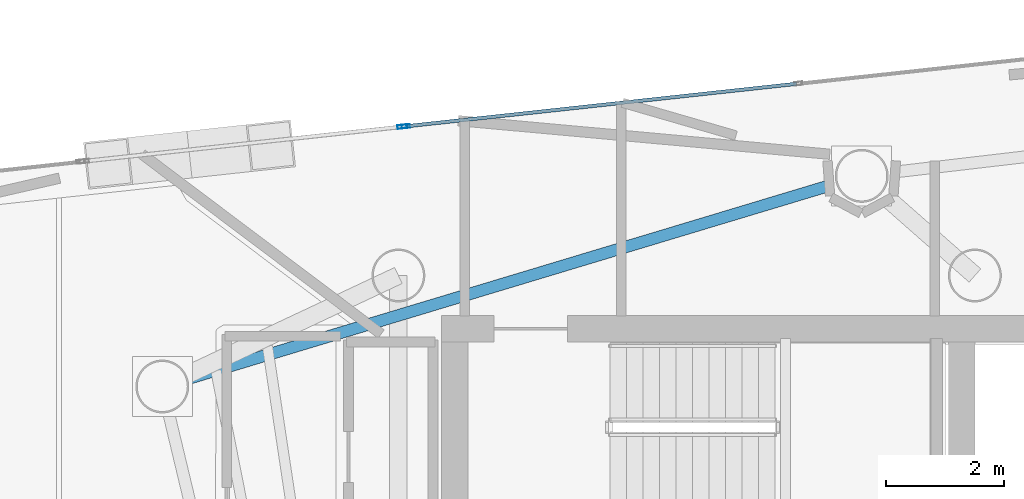
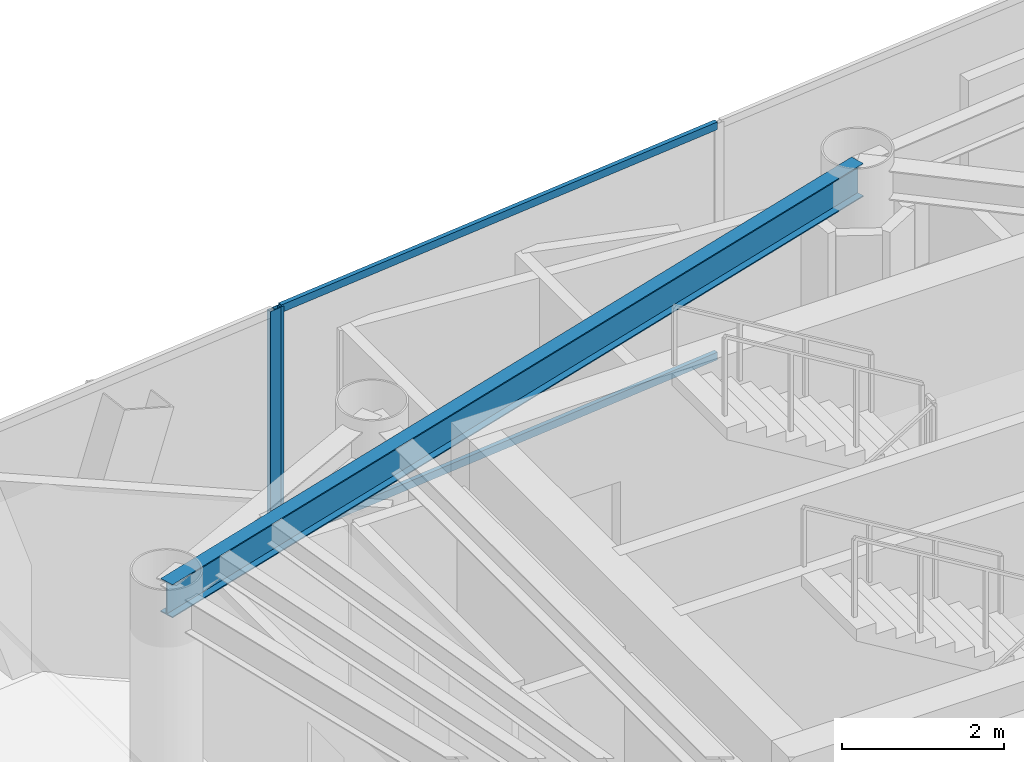
# One storey, part 9 of 19: 4 members, 1 beam, 2 elements without a shape of their own.
"""IFC4 building model written with IfcOpenShell, lengths in metres."""

from ifc_helpers import new_model, si_unit, direction, frame, origin, origin_2d, place, context, subcontext, project, spatial, hollow_rectangle, i_section, extrude, material, layer, layer_set, material_profile, profile_set, type_object, element, aggregate, save


model = new_model("IFC4")

# Units and contexts
model_context = context("Model", 3, precision=1e-05, world=origin(), true_north=direction((0.0, 1.0)))
body_context = subcontext(model_context, "Body", "Model", "MODEL_VIEW")
ifc_project = project(units=[si_unit("LENGTHUNIT", "METRE"), si_unit("AREAUNIT", "SQUARE_METRE"), si_unit("VOLUMEUNIT", "CUBIC_METRE"), si_unit("PLANEANGLEUNIT", "RADIAN"), si_unit("MASSUNIT", "GRAM", prefix="KILO")], contexts=[model_context])

# Site, building, storey
site_placement = place(None, origin())
site = spatial("IfcSite", under=ifc_project, at=site_placement, CompositionType="ELEMENT")
building_placement = place(site_placement, origin())
building = spatial("IfcBuilding", under=site, at=building_placement, Name="Qianvela Tower", CompositionType="ELEMENT")
storey_placement = place(building_placement, frame((0.0, 0.0, 280.60009765625)))
storey = spatial("IfcBuildingStorey", under=building, at=storey_placement, Name="L72", CompositionType="ELEMENT", Elevation=280.60009765625)

# Beam
ifc_material_1 = material(Name="Steel Q355B", Category="steel")
ifc_material_profile_1 = material_profile(ifc_material_1, i_section(OverallWidth=0.199951171875, OverallDepth=0.5, WebThickness=0.010009765625, FlangeThickness=0.01611328125, at=origin_2d()), Name="HN500x200x10x16")
ifc_profile_set_1 = profile_set([ifc_material_profile_1], Name="Steel Q355B")
beam_type = type_object("IfcBeamType", Name="BM-HN500-GIRD", PredefinedType="BEAM", material=ifc_profile_set_1)
beam_placement = place(storey_placement, frame((36.47607421875, 35.242919921875, 3.267822265625), z_axis=(-0.957535726794, -0.288314640478, 0.0), x_axis=(0.288314640478, -0.957535726794, 0.0)))
element("IfcBeam", 1, at=beam_placement, inside=storey, type_object=beam_type, Name="L72 Perimeter Ring Spandrel Girder 2", PredefinedType="BEAM", context=body_context, shape_type="SweptSolid", body=[
    extrude(i_section(OverallWidth=0.199951171875, OverallDepth=0.5, WebThickness=0.010009765625, FlangeThickness=0.01611328125, at=origin_2d()), origin(), (0.0, 0.0, 1.0), 12.41650390625),
])

# Curtain wall, member
ifc_material_2 = material(Name="Anodised Architectural Aluminium and Insulated Spandrel Panel", Category="aluminium")
ifc_layer_1 = layer(ifc_material_2, 0.179931640625)
ifc_layer_set_1 = layer_set([ifc_layer_1], Name="Anodised Architectural Aluminium and Insulated Spandrel Panel")
curtain_wall_type_1 = type_object("IfcCurtainWallType", Name="CW-BRACEBAY", PredefinedType="USERDEFINED", material=ifc_layer_set_1)
curtain_wall_1_placement = place(storey_placement, origin())
curtain_wall_1 = element("IfcCurtainWall", 2, at=curtain_wall_1_placement, inside=storey, type_object=curtain_wall_type_1, Name="L72 CW-BRACEBAY Curtain Wall 02B", ObjectType="CURTAIN_WALL_SYSTEM", PredefinedType="USERDEFINED")
ifc_material_3 = material(Name="Anodised Architectural Aluminium 6063-T6", Category="aluminium")
ifc_material_profile_2 = material_profile(ifc_material_3, hollow_rectangle(XDim=0.06494140625, YDim=0.159912109375, WallThickness=0.0048828125, at=origin_2d()), Name="ALU-MULL-65x160")
ifc_profile_set_2 = profile_set([ifc_material_profile_2], Name="Anodised Architectural Aluminium 6063-T6")
member_type_1 = type_object("IfcMemberType", Name="CW-BRACEBAY-MULL", PredefinedType="MULLION", material=ifc_profile_set_2)
member_1_placement = place(storey_placement, frame((28.664306640625, 36.079345703125, 0.0), z_axis=(0.0, 0.0, 1.0), x_axis=(0.108126370314, -0.994137157561, 0.0)))
member_1 = element("IfcMember", 3, at=member_1_placement, type_object=member_type_1, Name="CW-9 mullion 1", PredefinedType="MULLION", context=body_context, shape_type="SweptSolid", body=[
    extrude(hollow_rectangle(XDim=0.06494140625, YDim=0.159912109375, WallThickness=0.0048828125, at=origin_2d()), origin(), (0.0, 0.0, 1.0), 3.52001953125),
])
aggregate(curtain_wall_1, [member_1])

# Curtain wall, members
ifc_material_4 = material(Name="Anodised Architectural Aluminium and Low-E Glass", Category="aluminium")
ifc_layer_2 = layer(ifc_material_4, 0.14990234375)
ifc_layer_set_2 = layer_set([ifc_layer_2], Name="Anodised Architectural Aluminium and Low-E Glass")
curtain_wall_type_2 = type_object("IfcCurtainWallType", Name="CW-COLIV-Z78", PredefinedType="USERDEFINED", material=ifc_layer_set_2)
curtain_wall_2_placement = place(storey_placement, origin())
curtain_wall_2 = element("IfcCurtainWall", 4, at=curtain_wall_2_placement, inside=storey, type_object=curtain_wall_type_2, Name="L72 CW-COLIV-Z78 Curtain Wall 02A", ObjectType="CURTAIN_WALL_SYSTEM", PredefinedType="USERDEFINED")
ifc_material_5 = material(Name="Anodised Architectural Aluminium 6063-T6", Category="aluminium")
ifc_material_profile_3 = material_profile(ifc_material_5, hollow_rectangle(XDim=0.06005859375, YDim=0.139892578125, WallThickness=0.00439453125, at=origin_2d()), Name="ALU-MULL-60x140")
ifc_profile_set_3 = profile_set([ifc_material_profile_3], Name="Anodised Architectural Aluminium 6063-T6")
member_type_2 = type_object("IfcMemberType", Name="CW-COLIV-Z78-MULL", PredefinedType="MULLION", material=ifc_profile_set_3)
member_2_placement = place(storey_placement, frame((28.726318359375, 36.086181640625, 0.0), z_axis=(0.0, 0.0, 1.0), x_axis=(0.108120123252, -0.994137836996, 0.0)))
member_2 = element("IfcMember", 5, at=member_2_placement, type_object=member_type_2, Name="CW-6 mullion 5", PredefinedType="MULLION", context=body_context, shape_type="SweptSolid", body=[
    extrude(hollow_rectangle(XDim=0.06005859375, YDim=0.139892578125, WallThickness=0.00439453125, at=origin_2d()), origin(), (0.0, 0.0, 1.0), 3.52001953125),
])
ifc_material_6 = material(Name="Anodised Architectural Aluminium 6063-T6", Category="aluminium")
ifc_material_profile_4 = material_profile(ifc_material_6, hollow_rectangle(XDim=0.06005859375, YDim=0.114990234375, WallThickness=0.00390625, at=origin_2d()), Name="ALU-TRAN-60x115")
ifc_profile_set_4 = profile_set([ifc_material_profile_4], Name="Anodised Architectural Aluminium 6063-T6")
member_type_3 = type_object("IfcMemberType", Name="CW-COLIV-Z78-TRAN", PredefinedType="USERDEFINED", material=ifc_profile_set_4)
member_3_placement = place(storey_placement, frame((35.36962890625, 36.80859375, 0.02978515625), z_axis=(-0.99413794743, -0.108119107838, 0.0), x_axis=(0.108119107838, -0.99413794743, 0.0)))
member_3 = element("IfcMember", 6, at=member_3_placement, type_object=member_type_3, Name="CW-6 transom 4.1", ObjectType="TRANSOM", PredefinedType="USERDEFINED", context=body_context, shape_type="SweptSolid", body=[
    extrude(hollow_rectangle(XDim=0.06005859375, YDim=0.114990234375, WallThickness=0.00390625, at=origin_2d()), origin(), (0.0, 0.0, 1.0), 6.65234375),
])
member_4_placement = place(storey_placement, frame((35.36962890625, 36.80859375, 3.489990234375), z_axis=(-0.99413794743, -0.108119107838, 0.0), x_axis=(0.108119107838, -0.99413794743, 0.0)))
member_4 = element("IfcMember", 7, at=member_4_placement, type_object=member_type_3, Name="CW-6 transom 4.2", ObjectType="TRANSOM", PredefinedType="USERDEFINED", context=body_context, shape_type="SweptSolid", body=[
    extrude(hollow_rectangle(XDim=0.06005859375, YDim=0.114990234375, WallThickness=0.00390625, at=origin_2d()), origin(), (0.0, 0.0, 1.0), 6.65234375),
])
aggregate(curtain_wall_2, [member_2, member_3, member_4])

save(model, "model.ifc")
